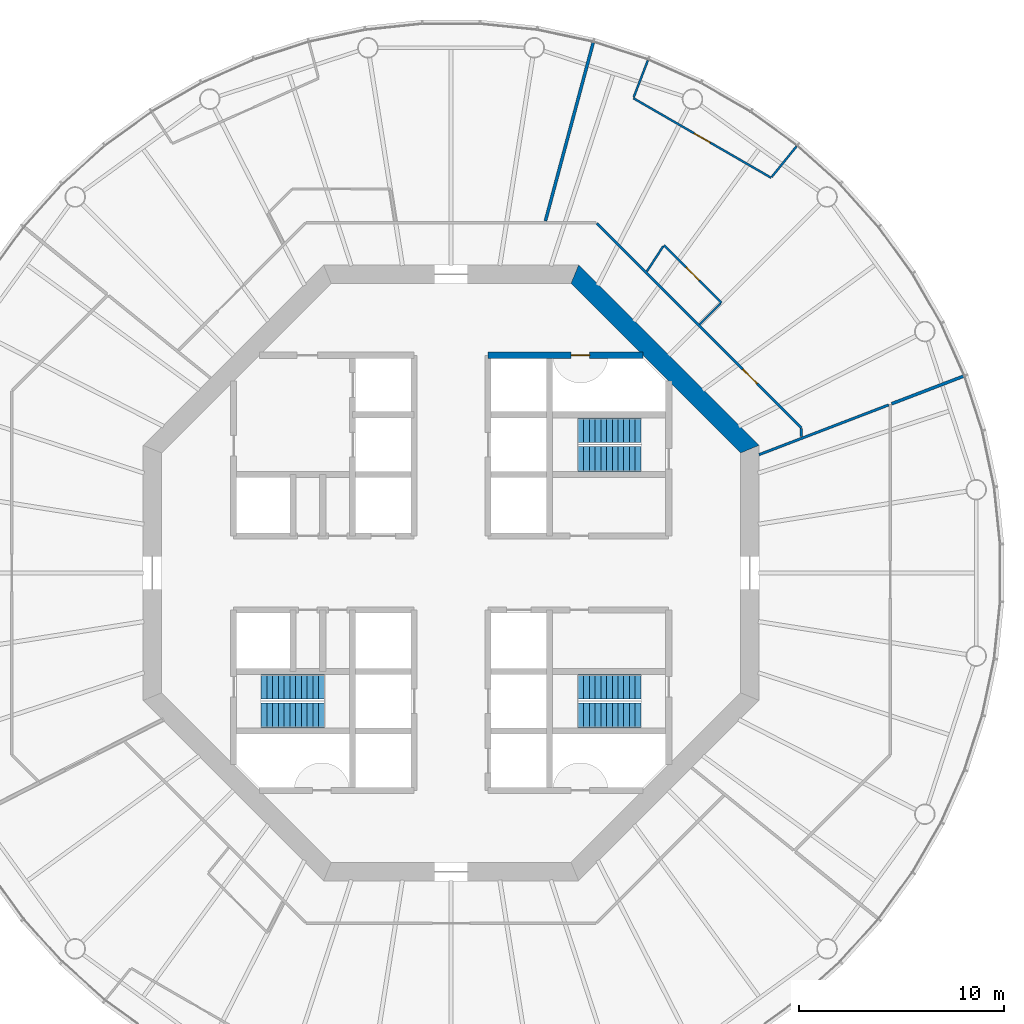
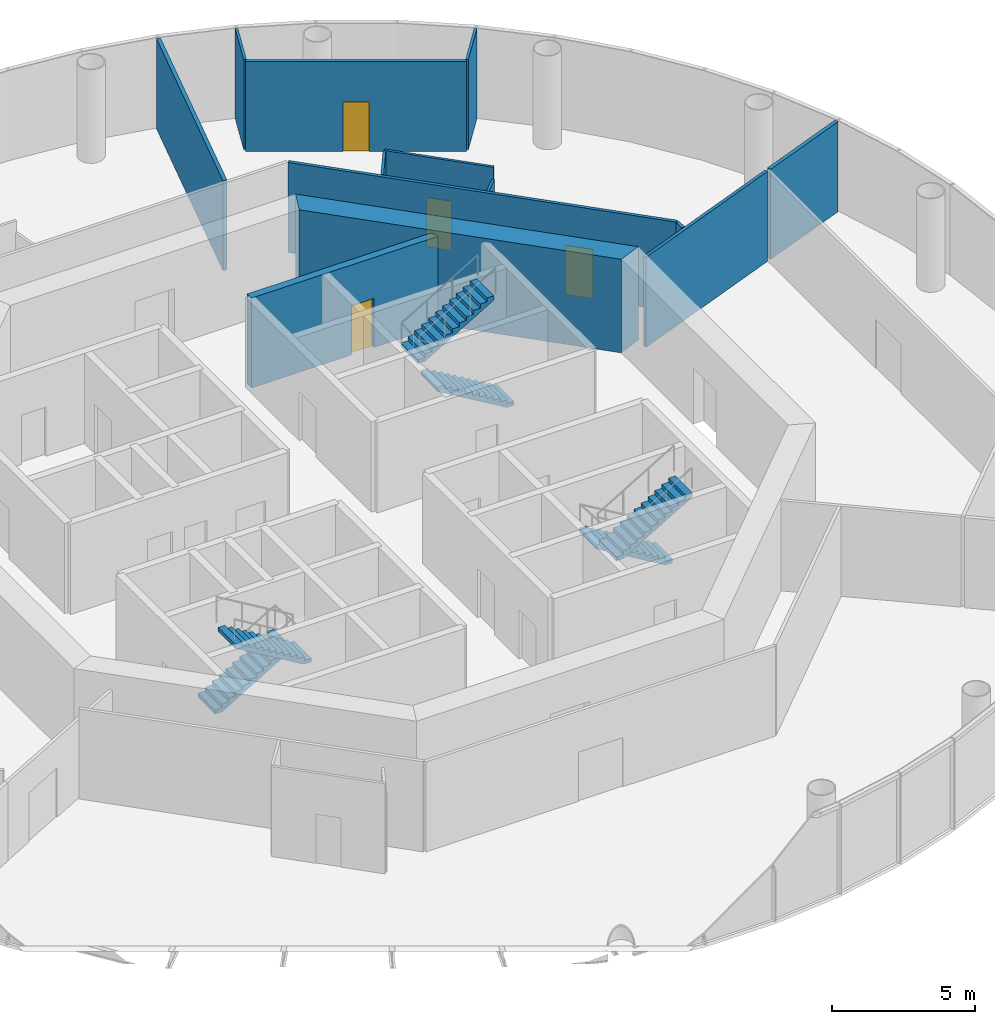
# One storey, part 5 of 12: 13 walls, 6 stair flights, 4 doors, 4 openings, 3 elements without a shape of their own.
"""IFC4 building model written with IfcOpenShell, lengths in metres."""

from ifc_helpers import new_model, si_unit, direction, frame, frame_2d, origin, place, context, subcontext, project, spatial, polyline, rectangle, outline, extrude, material, layer, layer_set, type_object, element, fill, aggregate, save


model = new_model("IFC4")

# Units and contexts
model_context = context("Model", 3, precision=1e-05, world=origin(), true_north=direction((0.0, 1.0)))
body_context = subcontext(model_context, "Body", "Model", "MODEL_VIEW")
ifc_project = project(units=[si_unit("LENGTHUNIT", "METRE"), si_unit("AREAUNIT", "SQUARE_METRE"), si_unit("VOLUMEUNIT", "CUBIC_METRE"), si_unit("PLANEANGLEUNIT", "RADIAN"), si_unit("MASSUNIT", "GRAM", prefix="KILO")], contexts=[model_context])

# Site, building, storey
site_placement = place(None, origin())
site = spatial("IfcSite", under=ifc_project, at=site_placement, CompositionType="ELEMENT")
building_placement = place(site_placement, origin())
building = spatial("IfcBuilding", under=site, at=building_placement, Name="Entoto Ring Tower", CompositionType="ELEMENT")
storey_placement = place(building_placement, frame((0.0, 0.0, 210.0)))
storey = spatial("IfcBuildingStorey", under=building, at=storey_placement, Name="L48", CompositionType="ELEMENT", Elevation=210.0)

# Wall, opening, door
ifc_material_1 = material(Name="Concrete C40/50", Category="concrete")
ifc_layer_1 = layer(ifc_material_1, 0.300048828125)
ifc_layer_set_1 = layer_set([ifc_layer_1], Name="Concrete C40/50")
wall_type_1 = type_object("IfcWallType", Name="Core enclosure wall 300 mm reinforced concrete", PredefinedType="SOLIDWALL", material=ifc_layer_set_1)
wall_1_placement = place(storey_placement, frame((91.800048828125, 90.60009765625, 0.0), z_axis=(0.0, 0.0, 1.0), x_axis=(1.0, 0.0, 0.0)))
wall_1 = element("IfcWall", 1, at=wall_1_placement, inside=storey, type_object=wall_type_1, Name="wall-L48-032", PredefinedType="SOLIDWALL", context=body_context, shape_type="SweptSolid", body=[
    extrude(rectangle(XDim=7.540283203125, YDim=0.300048828125, at=frame_2d((3.77001953125, 0.0))), origin(), (0.0, 0.0, 1.0), 3.85009765625),
])
opening_1_placement = place(wall_1_placement, frame((4.050048828125, 0.0, 0.0)))
opening_1 = element("IfcOpeningElement", 2, at=opening_1_placement, cuts=wall_1, Name="Opening K-20", PredefinedType="OPENING", context=body_context, shape_type="SweptSolid", body=[
    extrude(rectangle(XDim=0.89990234375, YDim=2.10009765625, at=frame_2d((0.449951171875, 1.050048828125))), frame((0.0, 0.16015625, 0.0), z_axis=(0.0, -1.0, 0.0), x_axis=(1.0, 0.0, 0.0)), (0.0, 0.0, 1.0), 0.320068359375),
])
ifc_material_2 = material(Name="Steel door leaf, fire rated", Category="steel")
ifc_layer_2 = layer(ifc_material_2, 0.050048828125)
ifc_layer_set_2 = layer_set([ifc_layer_2], Name="Steel door leaf, fire rated")
door_type_1 = type_object("IfcDoorType", Name="Riser door FD60 900 x 2100 single leaf", OperationType="NOTDEFINED", PredefinedType="DOOR", material=ifc_layer_set_2)
door_1_placement = place(opening_1_placement, frame((0.89990234375, 0.0, 0.0), z_axis=(0.0, 0.0, 1.0), x_axis=(-1.0, 0.0, 0.0)))
door_1 = element("IfcDoor", 3, at=door_1_placement, inside=storey, type_object=door_type_1, Name="Door K-20", OperationType="SINGLE_SWING_RIGHT", OverallHeight=2.10009765625, OverallWidth=0.89990234375, PredefinedType="DOOR", context=body_context, shape_type="SweptSolid", body=[
    extrude(rectangle(XDim=0.89990234375, YDim=2.10009765625, at=frame_2d((0.449951171875, 1.050048828125))), frame((0.0, 0.02490234375, 0.0), z_axis=(0.0, -1.0, 0.0), x_axis=(1.0, 0.0, 0.0)), (0.0, 0.0, 1.0), 0.050048828125),
])
fill(opening_1, door_1)

# Wall
ifc_material_3 = material(Name="Concrete C50/60", Category="concrete")
ifc_layer_3 = layer(ifc_material_3, 0.89990234375)
ifc_layer_set_3 = layer_set([ifc_layer_3], Name="Concrete C50/60")
wall_type_2 = type_object("IfcWallType", Name="Core shear wall 900 mm reinforced concrete C50/60", PredefinedType="SHEAR", material=ifc_layer_set_3)
wall_2_placement = place(storey_placement, frame((104.550048828125, 86.02685546875, 0.0), z_axis=(0.0, 0.0, 1.0), x_axis=(-0.707106781187, 0.707106781187, 0.0)))
element("IfcWall", 4, at=wall_2_placement, inside=storey, type_object=wall_type_2, Name="wall-L48-core-1", PredefinedType="SHEAR", context=body_context, shape_type="SweptSolid", body=[
    extrude(outline(polyline([(-0.186279296875, -0.449951171875), (12.239990234375, -0.449951171875), (11.867431640625, 0.449951171875), (0.186279296875, 0.449951171875), (-0.186279296875, -0.449951171875)])), origin(), (0.0, 0.0, 1.0), 4.0),
])

# Wall, opening, door
ifc_material_4 = material(Name="Fire-resisting plasterboard on steel studs", Category="steel")
ifc_layer_4 = layer(ifc_material_4, 0.125)
ifc_layer_set_4 = layer_set([ifc_layer_4], Name="Fire-resisting plasterboard on steel studs")
wall_type_3 = type_object("IfcWallType", Name="Corridor wall 125 mm one-hour plasterboard on steel studs", PredefinedType="PARTITIONING", material=ifc_layer_set_4)
wall_3_placement = place(storey_placement, frame((107.0625, 87.0673828125, 0.0), z_axis=(0.0, 0.0, 1.0), x_axis=(-0.707098118263, 0.707115444004, 0.0)))
wall_3 = element("IfcWall", 5, at=wall_3_placement, inside=storey, type_object=wall_type_3, Name="partition-L48-005", PredefinedType="PARTITIONING", context=body_context, shape_type="SweptSolid", body=[
    extrude(rectangle(XDim=14.09130859375, YDim=0.125, at=frame_2d((7.045654296875, 0.0))), origin(), (0.0, 0.0, 1.0), 3.85009765625),
])
opening_2_placement = place(wall_3_placement, frame((3.03369140625, 0.0, 0.0)))
opening_2 = element("IfcOpeningElement", 6, at=opening_2_placement, cuts=wall_3, Name="Opening A21-D03", PredefinedType="OPENING", context=body_context, shape_type="SweptSolid", body=[
    extrude(rectangle(XDim=1.0, YDim=2.10009765625, at=frame_2d((0.5, 1.050048828125))), frame((0.0, 0.072509765625, 0.0), z_axis=(0.0, -1.0, 0.0), x_axis=(1.0, 0.0, 0.0)), (0.0, 0.0, 1.0), 0.14501953125),
])
ifc_material_5 = material(Name="Fire-resisting timber door set", Category="wood")
door_type_2 = type_object("IfcDoorType", Name="Door 1000 x 2100 single leaf FD30S fire door", OperationType="NOTDEFINED", PredefinedType="DOOR", material=ifc_material_5)
door_2_placement = place(opening_2_placement, frame((1.0, 0.0, 0.0), z_axis=(0.0, 0.0, 1.0), x_axis=(-1.0, 0.0, 0.0)))
door_2 = element("IfcDoor", 7, at=door_2_placement, inside=storey, type_object=door_type_2, Name="Door A21-D03", OperationType="SINGLE_SWING_LEFT", OverallHeight=2.10009765625, OverallWidth=1.0, PredefinedType="DOOR", context=body_context, shape_type="SweptSolid", body=[
    extrude(rectangle(XDim=1.0, YDim=2.10009765625, at=frame_2d((0.5, 1.050048828125))), frame((0.0, 0.02490234375, 0.0), z_axis=(0.0, -1.0, 0.0), x_axis=(1.0, 0.0, 0.0)), (0.0, 0.0, 1.0), 0.050048828125),
])
fill(opening_2, door_2)

# Walls
wall_4_placement = place(storey_placement, frame((105.0, 85.758056640625, 0.0), z_axis=(0.0, 0.0, 1.0), x_axis=(0.933585389183, 0.358355021038, 0.0)))
element("IfcWall", 8, at=wall_4_placement, inside=storey, type_object=wall_type_3, Name="partition-L48-009", PredefinedType="PARTITIONING", context=body_context, shape_type="SweptSolid", body=[
    extrude(rectangle(XDim=6.764404296875, YDim=0.125, at=frame_2d((3.38232421875, 0.0))), origin(), (0.0, 0.0, 1.0), 3.85009765625),
])
wall_5_placement = place(storey_placement, frame((107.0625, 86.640380859375, 0.0), z_axis=(0.0, 0.0, 1.0), x_axis=(0.0, 1.0, 0.0)))
element("IfcWall", 9, at=wall_5_placement, inside=storey, type_object=wall_type_3, Name="partition-L48-016", PredefinedType="PARTITIONING", context=body_context, shape_type="SweptSolid", body=[
    extrude(rectangle(XDim=0.383056640625, YDim=0.125, at=frame_2d((0.19140625, 0.0))), origin(), (0.0, 0.0, 1.0), 3.85009765625),
])

# Wall, opening, door
ifc_material_6 = material(Name="Plasterboard on steel studs", Category="steel")
ifc_layer_5 = layer(ifc_material_6, 0.10009765625)
ifc_layer_set_5 = layer_set([ifc_layer_5], Name="Plasterboard on steel studs")
wall_type_4 = type_object("IfcWallType", Name="Partition 100 mm plasterboard on steel studs", PredefinedType="PARTITIONING", material=ifc_layer_set_5)
wall_6_placement = place(storey_placement, frame((105.58837890625, 99.25, 0.0), z_axis=(0.0, 0.0, 1.0), x_axis=(-0.866038174919, 0.499977879093, 0.0)))
wall_6 = element("IfcWall", 10, at=wall_6_placement, inside=storey, type_object=wall_type_4, Name="partition-L48-024", PredefinedType="PARTITIONING", context=body_context, shape_type="SweptSolid", body=[
    extrude(rectangle(XDim=7.749755859375, YDim=0.10009765625, at=frame_2d((3.875, 0.0))), origin(), (0.0, 0.0, 1.0), 3.85009765625),
])
opening_3_placement = place(wall_6_placement, frame((3.4248046875, 0.0, 0.0)))
opening_3 = element("IfcOpeningElement", 11, at=opening_3_placement, cuts=wall_6, Name="Opening A21-D05", PredefinedType="OPENING", context=body_context, shape_type="SweptSolid", body=[
    extrude(rectangle(XDim=0.89990234375, YDim=2.10009765625, at=frame_2d((0.449951171875, 1.050048828125))), frame((0.0, 0.06005859375, 0.0), z_axis=(0.0, -1.0, 0.0), x_axis=(1.0, 0.0, 0.0)), (0.0, 0.0, 1.0), 0.1201171875),
])
ifc_material_7 = material(Name="Veneered timber door leaf in timber frame", Category="wood")
door_type_3 = type_object("IfcDoorType", Name="Door 900 x 2100 single leaf timber veneer", OperationType="NOTDEFINED", PredefinedType="DOOR", material=ifc_material_7)
door_3_placement = place(opening_3_placement, frame((0.89990234375, 0.0, 0.0), z_axis=(0.0, 0.0, 1.0), x_axis=(-1.0, 0.0, 0.0)))
door_3 = element("IfcDoor", 12, at=door_3_placement, inside=storey, type_object=door_type_3, Name="Door A21-D05", OperationType="SINGLE_SWING_LEFT", OverallHeight=2.10009765625, OverallWidth=0.89990234375, PredefinedType="DOOR", context=body_context, shape_type="SweptSolid", body=[
    extrude(rectangle(XDim=0.89990234375, YDim=2.10009765625, at=frame_2d((0.449951171875, 1.050048828125))), frame((0.0, 0.02490234375, 0.0), z_axis=(0.0, -1.0, 0.0), x_axis=(1.0, 0.0, 0.0)), (0.0, 0.0, 1.0), 0.050048828125),
])
fill(opening_3, door_3)

wall_7_placement = place(storey_placement, frame((103.168212890625, 93.168212890625, 0.0), z_axis=(0.0, 0.0, 1.0), x_axis=(-0.707137619486, 0.707075941542, 0.0)))
wall_7 = element("IfcWall", 13, at=wall_7_placement, inside=storey, type_object=wall_type_4, Name="partition-L48-027", PredefinedType="PARTITIONING", context=body_context, shape_type="SweptSolid", body=[
    extrude(rectangle(XDim=3.958251953125, YDim=0.10009765625, at=frame_2d((1.97900390625, 0.0))), origin(), (0.0, 0.0, 1.0), 3.85009765625),
])
opening_4_placement = place(wall_7_placement, frame((1.529296875, 0.0, 0.0)))
opening_4 = element("IfcOpeningElement", 14, at=opening_4_placement, cuts=wall_7, Name="Opening A21-D04", PredefinedType="OPENING", context=body_context, shape_type="SweptSolid", body=[
    extrude(rectangle(XDim=0.89990234375, YDim=2.10009765625, at=frame_2d((0.449951171875, 1.050048828125))), frame((0.0, 0.06005859375, 0.0), z_axis=(0.0, -1.0, 0.0), x_axis=(1.0, 0.0, 0.0)), (0.0, 0.0, 1.0), 0.1201171875),
])
door_4_placement = place(opening_4_placement, origin())
door_4 = element("IfcDoor", 15, at=door_4_placement, inside=storey, type_object=door_type_3, Name="Door A21-D04", OperationType="SINGLE_SWING_RIGHT", OverallHeight=2.10009765625, OverallWidth=0.89990234375, PredefinedType="DOOR", context=body_context, shape_type="SweptSolid", body=[
    extrude(rectangle(XDim=0.89990234375, YDim=2.10009765625, at=frame_2d((0.449951171875, 1.050048828125))), frame((0.0, 0.02490234375, 0.0), z_axis=(0.0, -1.0, 0.0), x_axis=(1.0, 0.0, 0.0)), (0.0, 0.0, 1.0), 0.050048828125),
])
fill(opening_4, door_4)

# Walls
for number, where, z_axis, x_axis, name in (
    (16, (98.894287109375, 103.1708984375, 0.0), (0.0, 0.0, 1.0), (0.358467939372, 0.933542037855, 0.0), "partition-L48-028"),
    (17, (105.619384765625, 99.2880859375, 0.0), (0.0, 0.0, 1.0), (0.629179945972, 0.77725967063, 0.0), "partition-L48-029"),
):
    element("IfcWall", number, at=place(storey_placement, frame(where, z_axis=z_axis, x_axis=x_axis)), inside=storey, type_object=wall_type_4, Name=name, PredefinedType="PARTITIONING", context=body_context, shape_type="SweptSolid", body=[
        extrude(rectangle(XDim=1.920654296875, YDim=0.10009765625, at=frame_2d((0.96044921875, 0.0))), origin(), (0.0, 0.0, 1.0), 3.85009765625),
    ])
wall_8_placement = place(storey_placement, frame((99.541015625, 94.69189453125, 0.0), z_axis=(0.0, 0.0, 1.0), x_axis=(0.544735383894, 0.838607990383, 0.0)))
element("IfcWall", 18, at=wall_8_placement, inside=storey, type_object=wall_type_4, Name="partition-L48-039", PredefinedType="PARTITIONING", context=body_context, shape_type="SweptSolid", body=[
    extrude(rectangle(XDim=1.458740234375, YDim=0.10009765625, at=frame_2d((0.7294921875, 0.0))), origin(), (0.0, 0.0, 1.0), 3.85009765625),
])
ifc_material_8 = material(Name="Plasterboard on steel studs", Category="steel")
ifc_layer_6 = layer(ifc_material_8, 0.10009765625)
ifc_layer_set_6 = layer_set([ifc_layer_6], Name="Plasterboard on steel studs")
wall_type_5 = type_object("IfcWallType", Name="Partition 100 mm plasterboard on steel studs, 3350 mm high", PredefinedType="PARTITIONING", material=ifc_layer_set_6)
wall_9_placement = place(storey_placement, frame((102.109375, 92.109375, 0.0), z_axis=(0.0, 0.0, 1.0), x_axis=(0.707106781187, 0.707106781187, 0.0)))
element("IfcWall", 19, at=wall_9_placement, inside=storey, type_object=wall_type_5, Name="partition-L48-040", PredefinedType="PARTITIONING", context=body_context, shape_type="SweptSolid", body=[
    extrude(rectangle(XDim=1.447265625, YDim=0.10009765625, at=frame_2d((0.7236328125, 0.0))), origin(), (0.0, 0.0, 1.0), 3.35009765625),
])
ifc_material_9 = material(Name="Fire-resisting acoustic plasterboard on steel studs", Category="steel")
ifc_layer_7 = layer(ifc_material_9, 0.14990234375)
ifc_layer_set_7 = layer_set([ifc_layer_7], Name="Fire-resisting acoustic plasterboard on steel studs")
wall_type_6 = type_object("IfcWallType", Name="Party wall 150 mm one-hour acoustic plasterboard on steel studs", PredefinedType="PARTITIONING", material=ifc_layer_set_7)
wall_10_placement = place(storey_placement, frame((94.59375, 97.144287109375, 0.0), z_axis=(0.0, 0.0, 1.0), x_axis=(0.258831999562, 0.965922355059, 0.0)))
element("IfcWall", 20, at=wall_10_placement, inside=storey, type_object=wall_type_6, Name="partition-L48-017", PredefinedType="PARTITIONING", context=body_context, shape_type="SweptSolid", body=[
    extrude(rectangle(XDim=8.990966796875, YDim=0.14990234375, at=frame_2d((4.49560546875, 0.0))), origin(), (0.0, 0.0, 1.0), 3.85009765625),
])
wall_11_placement = place(storey_placement, frame((111.454345703125, 88.235595703125, 0.0), z_axis=(0.0, 0.0, 1.0), x_axis=(0.933581415209, 0.358365373852, 0.0)))
element("IfcWall", 21, at=wall_11_placement, inside=storey, type_object=wall_type_6, Name="partition-L48-021", PredefinedType="PARTITIONING", context=body_context, shape_type="SweptSolid", body=[
    extrude(rectangle(XDim=3.75927734375, YDim=0.14990234375, at=frame_2d((1.879638671875, 0.0))), origin(), (0.0, 0.0, 1.0), 3.85009765625),
])

# Stair, stair flights
ifc_material_10 = material(Name="Concrete C40/50", Category="concrete")
stair_type = type_object("IfcStairType", Name="Exit stair 1200 mm dog-leg reinforced concrete", PredefinedType="HALF_TURN_STAIR", material=ifc_material_10)
stair_1_placement = place(storey_placement, origin())
stair_1 = element("IfcStair", 22, at=stair_1_placement, inside=storey, type_object=stair_type, Name="Exit stair 1", PredefinedType="HALF_TURN_STAIR")
ifc_material_11 = material(Name="Concrete C40/50", Category="concrete")
stair_flight_type = type_object("IfcStairFlightType", Name="Stair flight 1200 mm reinforced concrete", PredefinedType="STRAIGHT", material=ifc_material_11)
stair_flight_1_placement = place(storey_placement, frame((99.25, 85.550048828125, 0.0), z_axis=(0.0, 0.0, 1.0), x_axis=(-1.0, 0.0, 0.0)))
stair_flight_1 = element("IfcStairFlight", 23, at=stair_flight_1_placement, type_object=stair_flight_type, Name="ST1 flight 1", NumberOfRisers=12, NumberOfTreads=11, PredefinedType="STRAIGHT", RiserHeight=0.166666667, TreadLength=0.28, context=body_context, shape_type="SweptSolid", body=[
    extrude(outline(polyline([(0.0, 0.0), (0.0, 0.166748046875), (0.280029296875, 0.166748046875), (0.280029296875, 0.333251953125), (0.56005859375, 0.333251953125), (0.56005859375, 0.5), (0.840087890625, 0.5), (0.840087890625, 0.666748046875), (1.1201171875, 0.666748046875), (1.1201171875, 0.833251953125), (1.39990234375, 0.833251953125), (1.39990234375, 1.0), (1.679931640625, 1.0), (1.679931640625, 1.166748046875), (1.9599609375, 1.166748046875), (1.9599609375, 1.333251953125), (2.239990234375, 1.333251953125), (2.239990234375, 1.5), (2.52001953125, 1.5), (2.52001953125, 1.666748046875), (2.800048828125, 1.666748046875), (2.800048828125, 1.833251953125), (3.080078125, 1.833251953125), (3.080078125, 2.0), (3.080078125, 1.658935546875), (0.29296875, 0.0), (0.0, 0.0)])), frame((0.0, 0.60009765625, 0.0), z_axis=(0.0, -1.0, 0.0), x_axis=(1.0, 0.0, 0.0)), (0.0, 0.0, 1.0), 1.199951171875),
])
stair_flight_2_placement = place(storey_placement, frame((96.169921875, 86.949951171875, 2.0), z_axis=(0.0, 0.0, 1.0), x_axis=(1.0, 0.0, 0.0)))
stair_flight_2 = element("IfcStairFlight", 24, at=stair_flight_2_placement, type_object=stair_flight_type, Name="ST1 flight 2", NumberOfRisers=12, NumberOfTreads=11, PredefinedType="STRAIGHT", RiserHeight=0.166666667, TreadLength=0.28, context=body_context, shape_type="SweptSolid", body=[
    extrude(outline(polyline([(0.0, 0.0), (0.0, 0.166748046875), (0.280029296875, 0.166748046875), (0.280029296875, 0.333251953125), (0.56005859375, 0.333251953125), (0.56005859375, 0.5), (0.840087890625, 0.5), (0.840087890625, 0.666748046875), (1.1201171875, 0.666748046875), (1.1201171875, 0.833251953125), (1.39990234375, 0.833251953125), (1.39990234375, 1.0), (1.679931640625, 1.0), (1.679931640625, 1.166748046875), (1.9599609375, 1.166748046875), (1.9599609375, 1.333251953125), (2.239990234375, 1.333251953125), (2.239990234375, 1.5), (2.52001953125, 1.5), (2.52001953125, 1.666748046875), (2.800048828125, 1.666748046875), (2.800048828125, 1.833251953125), (3.080078125, 1.833251953125), (3.080078125, 2.0), (3.080078125, 1.658935546875), (0.29296875, 0.0), (0.0, 0.0)])), frame((0.0, 0.60009765625, 0.0), z_axis=(0.0, -1.0, 0.0), x_axis=(1.0, 0.0, 0.0)), (0.0, 0.0, 1.0), 1.199951171875),
])
aggregate(stair_1, [stair_flight_1, stair_flight_2])

stair_2_placement = place(storey_placement, origin())
stair_2 = element("IfcStair", 25, at=stair_2_placement, inside=storey, type_object=stair_type, Name="Exit stair 2", PredefinedType="HALF_TURN_STAIR")
stair_flight_3_placement = place(storey_placement, frame((80.75, 74.449951171875, 0.0), z_axis=(0.0, 0.0, 1.0), x_axis=(1.0, 0.0, 0.0)))
stair_flight_3 = element("IfcStairFlight", 26, at=stair_flight_3_placement, type_object=stair_flight_type, Name="ST2 flight 1", NumberOfRisers=12, NumberOfTreads=11, PredefinedType="STRAIGHT", RiserHeight=0.166666667, TreadLength=0.28, context=body_context, shape_type="SweptSolid", body=[
    extrude(outline(polyline([(0.0, 0.0), (0.0, 0.166748046875), (0.280029296875, 0.166748046875), (0.280029296875, 0.333251953125), (0.56005859375, 0.333251953125), (0.56005859375, 0.5), (0.840087890625, 0.5), (0.840087890625, 0.666748046875), (1.1201171875, 0.666748046875), (1.1201171875, 0.833251953125), (1.39990234375, 0.833251953125), (1.39990234375, 1.0), (1.679931640625, 1.0), (1.679931640625, 1.166748046875), (1.9599609375, 1.166748046875), (1.9599609375, 1.333251953125), (2.239990234375, 1.333251953125), (2.239990234375, 1.5), (2.52001953125, 1.5), (2.52001953125, 1.666748046875), (2.800048828125, 1.666748046875), (2.800048828125, 1.833251953125), (3.080078125, 1.833251953125), (3.080078125, 2.0), (3.080078125, 1.658935546875), (0.29296875, 0.0), (0.0, 0.0)])), frame((0.0, 0.60009765625, 0.0), z_axis=(0.0, -1.0, 0.0), x_axis=(1.0, 0.0, 0.0)), (0.0, 0.0, 1.0), 1.199951171875),
])
stair_flight_4_placement = place(storey_placement, frame((83.830078125, 73.050048828125, 2.0), z_axis=(0.0, 0.0, 1.0), x_axis=(-1.0, 0.0, 0.0)))
stair_flight_4 = element("IfcStairFlight", 27, at=stair_flight_4_placement, type_object=stair_flight_type, Name="ST2 flight 2", NumberOfRisers=12, NumberOfTreads=11, PredefinedType="STRAIGHT", RiserHeight=0.166666667, TreadLength=0.28, context=body_context, shape_type="SweptSolid", body=[
    extrude(outline(polyline([(0.0, 0.0), (0.0, 0.166748046875), (0.280029296875, 0.166748046875), (0.280029296875, 0.333251953125), (0.56005859375, 0.333251953125), (0.56005859375, 0.5), (0.840087890625, 0.5), (0.840087890625, 0.666748046875), (1.1201171875, 0.666748046875), (1.1201171875, 0.833251953125), (1.39990234375, 0.833251953125), (1.39990234375, 1.0), (1.679931640625, 1.0), (1.679931640625, 1.166748046875), (1.9599609375, 1.166748046875), (1.9599609375, 1.333251953125), (2.239990234375, 1.333251953125), (2.239990234375, 1.5), (2.52001953125, 1.5), (2.52001953125, 1.666748046875), (2.800048828125, 1.666748046875), (2.800048828125, 1.833251953125), (3.080078125, 1.833251953125), (3.080078125, 2.0), (3.080078125, 1.658935546875), (0.29296875, 0.0), (0.0, 0.0)])), frame((0.0, 0.60009765625, 0.0), z_axis=(0.0, -1.0, 0.0), x_axis=(1.0, 0.0, 0.0)), (0.0, 0.0, 1.0), 1.199951171875),
])
aggregate(stair_2, [stair_flight_3, stair_flight_4])

stair_3_placement = place(storey_placement, origin())
stair_3 = element("IfcStair", 28, at=stair_3_placement, inside=storey, type_object=stair_type, Name="Exit stair 3", PredefinedType="HALF_TURN_STAIR")
stair_flight_5_placement = place(storey_placement, frame((99.25, 74.449951171875, 0.0), z_axis=(0.0, 0.0, 1.0), x_axis=(-1.0, 0.0, 0.0)))
stair_flight_5 = element("IfcStairFlight", 29, at=stair_flight_5_placement, type_object=stair_flight_type, Name="ST3 flight 1", NumberOfRisers=12, NumberOfTreads=11, PredefinedType="STRAIGHT", RiserHeight=0.166666667, TreadLength=0.28, context=body_context, shape_type="SweptSolid", body=[
    extrude(outline(polyline([(0.0, 0.0), (0.0, 0.166748046875), (0.280029296875, 0.166748046875), (0.280029296875, 0.333251953125), (0.56005859375, 0.333251953125), (0.56005859375, 0.5), (0.840087890625, 0.5), (0.840087890625, 0.666748046875), (1.1201171875, 0.666748046875), (1.1201171875, 0.833251953125), (1.39990234375, 0.833251953125), (1.39990234375, 1.0), (1.679931640625, 1.0), (1.679931640625, 1.166748046875), (1.9599609375, 1.166748046875), (1.9599609375, 1.333251953125), (2.239990234375, 1.333251953125), (2.239990234375, 1.5), (2.52001953125, 1.5), (2.52001953125, 1.666748046875), (2.800048828125, 1.666748046875), (2.800048828125, 1.833251953125), (3.080078125, 1.833251953125), (3.080078125, 2.0), (3.080078125, 1.658935546875), (0.29296875, 0.0), (0.0, 0.0)])), frame((0.0, 0.60009765625, 0.0), z_axis=(0.0, -1.0, 0.0), x_axis=(1.0, 0.0, 0.0)), (0.0, 0.0, 1.0), 1.199951171875),
])
stair_flight_6_placement = place(storey_placement, frame((96.169921875, 73.050048828125, 2.0), z_axis=(0.0, 0.0, 1.0), x_axis=(1.0, 0.0, 0.0)))
stair_flight_6 = element("IfcStairFlight", 30, at=stair_flight_6_placement, type_object=stair_flight_type, Name="ST3 flight 2", NumberOfRisers=12, NumberOfTreads=11, PredefinedType="STRAIGHT", RiserHeight=0.166666667, TreadLength=0.28, context=body_context, shape_type="SweptSolid", body=[
    extrude(outline(polyline([(0.0, 0.0), (0.0, 0.166748046875), (0.280029296875, 0.166748046875), (0.280029296875, 0.333251953125), (0.56005859375, 0.333251953125), (0.56005859375, 0.5), (0.840087890625, 0.5), (0.840087890625, 0.666748046875), (1.1201171875, 0.666748046875), (1.1201171875, 0.833251953125), (1.39990234375, 0.833251953125), (1.39990234375, 1.0), (1.679931640625, 1.0), (1.679931640625, 1.166748046875), (1.9599609375, 1.166748046875), (1.9599609375, 1.333251953125), (2.239990234375, 1.333251953125), (2.239990234375, 1.5), (2.52001953125, 1.5), (2.52001953125, 1.666748046875), (2.800048828125, 1.666748046875), (2.800048828125, 1.833251953125), (3.080078125, 1.833251953125), (3.080078125, 2.0), (3.080078125, 1.658935546875), (0.29296875, 0.0), (0.0, 0.0)])), frame((0.0, 0.60009765625, 0.0), z_axis=(0.0, -1.0, 0.0), x_axis=(1.0, 0.0, 0.0)), (0.0, 0.0, 1.0), 1.199951171875),
])
aggregate(stair_3, [stair_flight_5, stair_flight_6])

save(model, "model.ifc")
